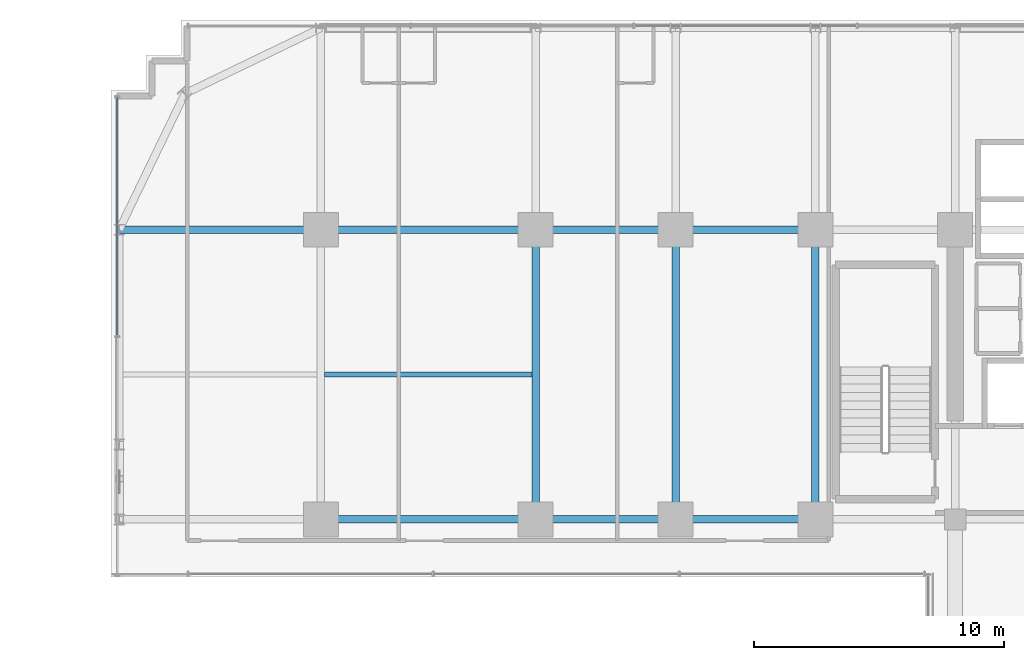
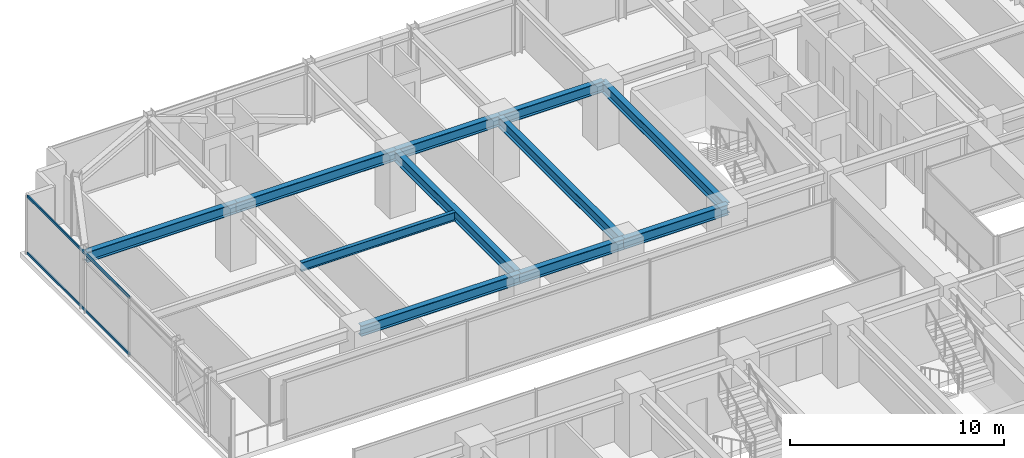
# One storey, part 22 of 38: 11 beams, 2 members, 1 element without a shape of its own.
"""IFC4 building model written with IfcOpenShell, lengths in metres."""

from ifc_helpers import new_model, si_unit, direction, frame, origin, origin_2d, place, context, subcontext, project, spatial, hollow_rectangle, i_section, extrude, source, transform, mapped, material, material_profile, profile_set, type_object, element, aggregate, save


model = new_model("IFC4")

# Units and contexts
model_context = context("Model", 3, precision=1e-05, world=origin(), true_north=direction((0.0, 1.0)))
body_context = subcontext(model_context, "Body", "Model", "MODEL_VIEW")
ifc_project = project(units=[si_unit("LENGTHUNIT", "METRE"), si_unit("AREAUNIT", "SQUARE_METRE"), si_unit("VOLUMEUNIT", "CUBIC_METRE"), si_unit("PLANEANGLEUNIT", "RADIAN"), si_unit("MASSUNIT", "GRAM", prefix="KILO")], contexts=[model_context])

# Site, building, storey
site_placement = place(None, origin())
site = spatial("IfcSite", under=ifc_project, at=site_placement, CompositionType="ELEMENT")
building_placement = place(site_placement, origin())
building = spatial("IfcBuilding", under=site, at=building_placement, Name="Nahalor Promenade Grand Hotel", CompositionType="ELEMENT")
storey_placement = place(building_placement, frame((0.0, 0.0, 50.64990234375)))
storey = spatial("IfcBuildingStorey", under=building, at=storey_placement, Name="L11", CompositionType="ELEMENT", Elevation=50.64990234375)

# Beams
ifc_material_1 = material(Name="Steel S355JR", Category="steel")
ifc_material_profile_1 = material_profile(ifc_material_1, i_section(OverallWidth=0.3, OverallDepth=0.6, WebThickness=0.0155, FlangeThickness=0.03, at=origin_2d()), Name="HEB 600")
ifc_profile_set_1 = profile_set([ifc_material_profile_1], Name="Steel S355JR")
beam_type_1 = type_object("IfcBeamType", Name="Beam-Girder-HEB600", PredefinedType="BEAM", material=ifc_profile_set_1)
shared_shape_1 = source(origin(), body_context, "Body", "SweptSolid", [
    extrude(i_section(OverallWidth=0.3, OverallDepth=0.6, WebThickness=0.0155, FlangeThickness=0.03, at=origin_2d()), origin(), (0.0, 0.0, 1.0), 8.60009765625),
])
for number, where, z_axis, x_axis, name in (
    (1, (-17.0, 5.39990234375, 3.070068359375), (1.0, 0.0, 0.0), (0.0, 1.0, 0.0), "BM-L11-GX-2-1"),
    (2, (-17.0, 17.0, 3.070068359375), (1.0, 0.0, 0.0), (0.0, 1.0, 0.0), "BM-L11-GX-3-1"),
):
    element("IfcBeam", number, at=place(storey_placement, frame(where, z_axis=z_axis, x_axis=x_axis)), inside=storey, type_object=beam_type_1, Name=name, PredefinedType="BEAM", context=body_context, shape_type="MappedRepresentation", body=[
        mapped(shared_shape_1, transform((0.0, 0.0, 0.0), scale=1.0)),
    ])
shared_shape_2 = source(origin(), body_context, "Body", "SweptSolid", [
    extrude(i_section(OverallWidth=0.3, OverallDepth=0.6, WebThickness=0.0155, FlangeThickness=0.03, at=origin_2d()), origin(), (0.0, 0.0, 1.0), 5.599853515625),
])
for number, where, z_axis, x_axis, name in (
    (3, (-8.39990234375, 5.39990234375, 3.070068359375), (1.0, 0.0, 0.0), (0.0, 1.0, 0.0), "BM-L11-GX-2-2"),
    (4, (-8.39990234375, 17.0, 3.070068359375), (1.0, 0.0, 0.0), (0.0, 1.0, 0.0), "BM-L11-GX-3-2"),
):
    element("IfcBeam", number, at=place(storey_placement, frame(where, z_axis=z_axis, x_axis=x_axis)), inside=storey, type_object=beam_type_1, Name=name, PredefinedType="BEAM", context=body_context, shape_type="MappedRepresentation", body=[
        mapped(shared_shape_2, transform((0.0, 0.0, 0.0), scale=1.0)),
    ])
shared_shape_3 = source(origin(), body_context, "Body", "SweptSolid", [
    extrude(i_section(OverallWidth=0.3, OverallDepth=0.6, WebThickness=0.0155, FlangeThickness=0.03, at=origin_2d()), origin(), (0.0, 0.0, 1.0), 5.60009765625),
])
for number, where, z_axis, x_axis, name in (
    (5, (-2.800048828125, 5.39990234375, 3.070068359375), (1.0, 0.0, 0.0), (0.0, 1.0, 0.0), "BM-L11-GX-2-3"),
    (6, (-2.800048828125, 17.0, 3.070068359375), (1.0, 0.0, 0.0), (0.0, 1.0, 0.0), "BM-L11-GX-3-3"),
):
    element("IfcBeam", number, at=place(storey_placement, frame(where, z_axis=z_axis, x_axis=x_axis)), inside=storey, type_object=beam_type_1, Name=name, PredefinedType="BEAM", context=body_context, shape_type="MappedRepresentation", body=[
        mapped(shared_shape_3, transform((0.0, 0.0, 0.0), scale=1.0)),
    ])
shared_shape_4 = source(origin(), body_context, "Body", "SweptSolid", [
    extrude(i_section(OverallWidth=0.3, OverallDepth=0.6, WebThickness=0.0155, FlangeThickness=0.03, at=origin_2d()), origin(), (0.0, 0.0, 1.0), 11.60009765625),
])
for number, where, z_axis, x_axis, name in (
    (7, (-8.39990234375, 5.39990234375, 3.070068359375), (0.0, 1.0, 0.0), (-1.0, 0.0, 0.0), "BM-L11-GY-1-3"),
    (8, (-2.800048828125, 5.39990234375, 3.070068359375), (0.0, 1.0, 0.0), (-1.0, 0.0, 0.0), "BM-L11-GY-2-3"),
    (9, (2.800048828125, 5.39990234375, 3.070068359375), (0.0, 1.0, 0.0), (-1.0, 0.0, 0.0), "BM-L11-GY-3-3"),
):
    element("IfcBeam", number, at=place(storey_placement, frame(where, z_axis=z_axis, x_axis=x_axis)), inside=storey, type_object=beam_type_1, Name=name, PredefinedType="BEAM", context=body_context, shape_type="MappedRepresentation", body=[
        mapped(shared_shape_4, transform((0.0, 0.0, 0.0), scale=1.0)),
    ])
ifc_material_profile_2 = material_profile(ifc_material_1, i_section(OverallWidth=0.2, OverallDepth=0.5, WebThickness=0.0102, FlangeThickness=0.016, at=origin_2d()), Name="IPE 500")
ifc_profile_set_2 = profile_set([ifc_material_profile_2], Name="Steel S355JR")
beam_type_2 = type_object("IfcBeamType", Name="Beam-Joist-IPE500", PredefinedType="JOIST", material=ifc_profile_set_2)
shared_shape_5 = source(origin(), body_context, "Body", "SweptSolid", [
    extrude(i_section(OverallWidth=0.2, OverallDepth=0.5, WebThickness=0.0102, FlangeThickness=0.016, at=origin_2d()), origin(), (0.0, 0.0, 1.0), 8.300048828125),
])
beam_1_placement = place(storey_placement, frame((-16.85009765625, 11.199951171875, 3.1201171875), z_axis=(1.0, 0.0, 0.0), x_axis=(0.0, 1.0, 0.0)))
element("IfcBeam", 10, at=beam_1_placement, inside=storey, type_object=beam_type_2, Name="BM-L11-JSW-1-1", PredefinedType="JOIST", context=body_context, shape_type="MappedRepresentation", body=[
    mapped(shared_shape_5, transform((0.0, 0.0, 0.0), scale=1.0)),
])
shared_shape_6 = source(origin(), body_context, "Body", "SweptSolid", [
    extrude(i_section(OverallWidth=0.3, OverallDepth=0.6, WebThickness=0.0155, FlangeThickness=0.03, at=origin_2d()), origin(), (0.0, 0.0, 1.0), 8.080078125),
])
beam_2_placement = place(storey_placement, frame((-25.080078125, 17.0, 3.070068359375), z_axis=(1.0, 0.0, 0.0), x_axis=(0.0, 1.0, 0.0)))
element("IfcBeam", 11, at=beam_2_placement, inside=storey, type_object=beam_type_1, Name="BM-L11-GX-3-0", PredefinedType="BEAM", context=body_context, shape_type="MappedRepresentation", body=[
    mapped(shared_shape_6, transform((0.0, 0.0, 0.0), scale=1.0)),
])

# Curtain wall, members
ifc_material_2 = material(Name="Anodised Bronze Aluminium EN AW-6063 T6", Category="aluminium")
curtain_wall_type = type_object("IfcCurtainWallType", Name="CW3 Elliptical-Void Collar Unitised Curtain Wall", PredefinedType="USERDEFINED", material=ifc_material_2)
curtain_wall_placement = place(storey_placement, origin())
curtain_wall = element("IfcCurtainWall", 12, at=curtain_wall_placement, inside=storey, type_object=curtain_wall_type, Name="L11 Curtain Wall CW-L11-W-4", ObjectType="UNITISED_CURTAIN_WALL", PredefinedType="USERDEFINED")
ifc_material_profile_3 = material_profile(ifc_material_2, hollow_rectangle(XDim=0.07, YDim=0.14, WallThickness=0.004, at=origin_2d()), Name="CWT 70x140x4")
ifc_profile_set_3 = profile_set([ifc_material_profile_3], Name="Anodised Bronze Aluminium EN AW-6063 T6")
member_type = type_object("IfcMemberType", Name="CWT3 Void Collar Transom 70x140", PredefinedType="USERDEFINED", material=ifc_profile_set_3)
shared_shape_7 = source(origin(), body_context, "Body", "SweptSolid", [
    extrude(hollow_rectangle(XDim=0.07, YDim=0.14, WallThickness=0.004, at=origin_2d()), origin(), (0.0, 0.0, 1.0), 9.525146484375),
])
member_1_placement = place(storey_placement, frame((-25.159912109375, 12.764892578125, 0.070068359375), z_axis=(0.0, 1.0, 0.0), x_axis=(-1.0, 0.0, 0.0)))
member_1 = element("IfcMember", 13, at=member_1_placement, type_object=member_type, Name="CW-L11-W-4 Transom 1-0", ObjectType="TRANSOM", PredefinedType="USERDEFINED", context=body_context, shape_type="MappedRepresentation", body=[
    mapped(shared_shape_7, transform((0.0, 0.0, 0.0), scale=1.0)),
])
member_2_placement = place(storey_placement, frame((-25.159912109375, 12.764892578125, 3.300048828125), z_axis=(0.0, 1.0, 0.0), x_axis=(-1.0, 0.0, 0.0)))
member_2 = element("IfcMember", 14, at=member_2_placement, type_object=member_type, Name="CW-L11-W-4 Transom 1-1", ObjectType="TRANSOM", PredefinedType="USERDEFINED", context=body_context, shape_type="MappedRepresentation", body=[
    mapped(shared_shape_7, transform((0.0, 0.0, 0.0), scale=1.0)),
])
aggregate(curtain_wall, [member_1, member_2])

save(model, "model.ifc")
